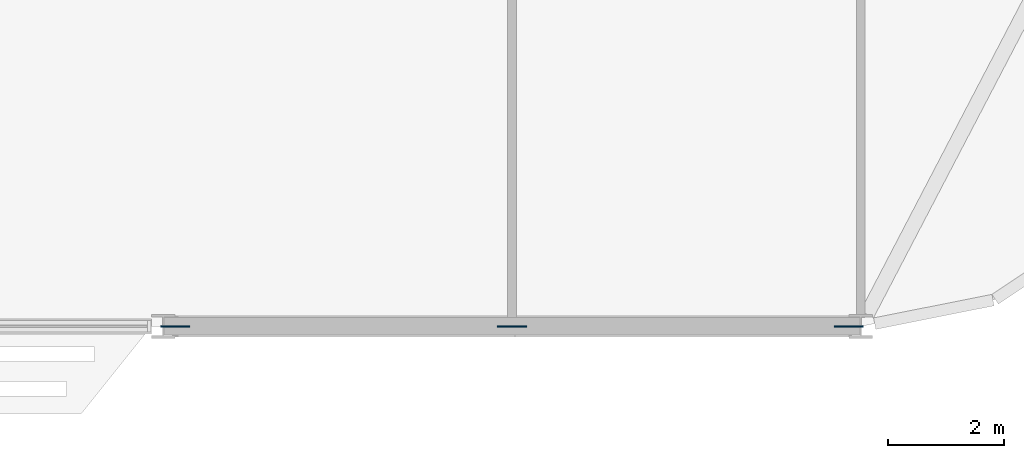
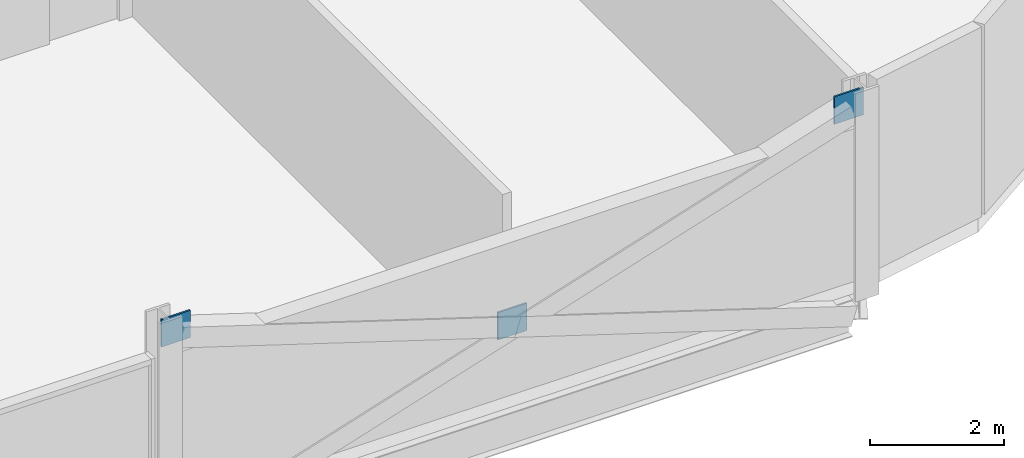
# One storey, part 20 of 27: 3 discrete accessories.
"""IFC4 building model written with IfcOpenShell, lengths in metres."""

import ifcopenshell
import ifcopenshell.guid

model = None  # the IFC model being written
_history = None  # IfcOwnerHistory: only IFC2X3 demands one
_inside = {}  # id of a spatial element -> (the spatial element, [elements in it])
_under = {}  # id of a project, library or spatial element -> (it, [spatial elements below it])
_declared = {}  # id of a project -> (the project, [libraries it declares])
_typed = {}  # id of a type object -> (the type object, [elements of that type])
_made_of = {}  # id of a material, layer set ... -> (it, [elements and type objects made of it])


def new_model(schema):
    """Start an empty IFC model of exactly this schema.

    Asked for "IFC4X3", IfcOpenShell would pick the latest addendum, in which some entities
    have other attributes; the version numbers below select the first issue.
    IFC2X3 requires an IfcOwnerHistory on every rooted entity: one is made here for all.
    """
    global model, _history
    if schema == "IFC4X3":
        model = ifcopenshell.file(schema_version=(4, 3, 0, 0))
    else:
        model = ifcopenshell.file(schema=schema)
    _inside.clear()
    _under.clear()
    _declared.clear()
    _typed.clear()
    _made_of.clear()
    _history = None
    if model.schema == "IFC2X3":
        org = make("IfcOrganization", Name="unknown")
        user = make(
            "IfcPersonAndOrganization",
            ThePerson=make("IfcPerson", FamilyName="unknown"),
            TheOrganization=org,
        )
        app = make(
            "IfcApplication",
            ApplicationDeveloper=org,
            Version="unknown",
            ApplicationFullName="unknown",
            ApplicationIdentifier="unknown",
        )
        _history = make(
            "IfcOwnerHistory",
            OwningUser=user,
            OwningApplication=app,
            ChangeAction="ADDED",
            CreationDate=0,
        )
    return model


def make(cls, **values):
    """One entity of the class cls with the attributes given. An attribute that is None is left unset."""
    return model.create_entity(
        cls, **{name: value for name, value in values.items() if value is not None}
    )


def rooted(cls, **values):
    """An entity with a GlobalId (a new one), such as an element, a storey or a relation."""
    return make(cls, GlobalId=ifcopenshell.guid.new(), OwnerHistory=_history, **values)


def si_unit(unit_type, name, prefix=None):
    """IfcSIUnit, for example si_unit("LENGTHUNIT", "METRE", prefix="MILLI")."""
    return make("IfcSIUnit", UnitType=unit_type, Prefix=prefix, Name=name)


def assignment(units):
    """IfcUnitAssignment: the units of a project."""
    return None if units is None else make("IfcUnitAssignment", Units=units)


def point(xyz):
    """IfcCartesianPoint."""
    return None if xyz is None else make("IfcCartesianPoint", Coordinates=xyz)


def direction(xyz):
    """IfcDirection."""
    return None if xyz is None else make("IfcDirection", DirectionRatios=xyz)


def frame(location, z_axis=None, x_axis=None):
    """IfcAxis2Placement3D, a coordinate frame: its origin and axes. An axis left out is left unset."""
    return make(
        "IfcAxis2Placement3D",
        Location=point(location),
        Axis=direction(z_axis),
        RefDirection=direction(x_axis),
    )


def frame_2d(location, x_axis=None):
    """IfcAxis2Placement2D, a coordinate frame in the plane: its origin and x axis."""
    return make(
        "IfcAxis2Placement2D", Location=point(location), RefDirection=direction(x_axis)
    )


def origin():
    """The frame at (0, 0, 0) with its axes left unset."""
    return frame((0.0, 0.0, 0.0))


def origin_2d():
    """The frame at (0, 0) in the plane with its x axis left unset."""
    return frame_2d((0.0, 0.0))


def place(relative_to, where):
    """IfcLocalPlacement: puts the frame where relative to a parent placement (None: the world)."""
    return make(
        "IfcLocalPlacement", PlacementRelTo=relative_to, RelativePlacement=where
    )


def context(
    kind, dimensions, precision=None, world=None, true_north=None, identifier=None
):
    """IfcGeometricRepresentationContext, for example the 3D "Model" context."""
    return make(
        "IfcGeometricRepresentationContext",
        ContextIdentifier=identifier,
        ContextType=kind,
        CoordinateSpaceDimension=dimensions,
        Precision=precision,
        WorldCoordinateSystem=world,
        TrueNorth=true_north,
    )


def subcontext(parent, identifier, kind, view, scale=None):
    """IfcGeometricRepresentationSubContext, for example "Body" below "Model"."""
    return make(
        "IfcGeometricRepresentationSubContext",
        ContextIdentifier=identifier,
        ContextType=kind,
        ParentContext=parent,
        TargetScale=scale,
        TargetView=view,
    )


def project(units=None, contexts=None):
    """IfcProject with its units and contexts."""
    return rooted(
        "IfcProject",
        Name="project",
        RepresentationContexts=contexts,
        UnitsInContext=assignment(units),
    )


def spatial(cls, under=None, at=None, **own):
    """A site, building, storey or space (cls), placed at a placement, below another one or the project."""
    s = rooted(cls, ObjectPlacement=at, **own)
    if under is not None:
        _under.setdefault(under.id(), (under, []))[1].append(s)
    return s


def profile(cls, at=None, kind="AREA", **sizes):
    """A parametric profile (cls). Its sizes go by their IFC names, for example OverallWidth=200.0."""
    return make(cls, ProfileType=kind, Position=at, **sizes)


def rectangle(**sizes):
    """IfcRectangleProfileDef."""
    return profile("IfcRectangleProfileDef", **sizes)


def extrude(swept, where, along, depth):
    """IfcExtrudedAreaSolid: the profile swept, set in the frame where, extruded along a direction by depth."""
    return make(
        "IfcExtrudedAreaSolid",
        SweptArea=swept,
        Position=where,
        ExtrudedDirection=direction(along),
        Depth=depth,
    )


def shape(context_of_items, identifier, shape_type, items):
    """IfcShapeRepresentation: the items that make up one representation, for example the "Body"."""
    return make(
        "IfcShapeRepresentation",
        ContextOfItems=context_of_items,
        RepresentationIdentifier=identifier,
        RepresentationType=shape_type,
        Items=items,
    )


def material(Name=None, Category=None):
    """IfcMaterial."""
    return make("IfcMaterial", Name=Name, Category=Category)


def layer(
    of_material, thickness, ventilated=None, Name=None, Category=None, Priority=None
):
    """IfcMaterialLayer: one layer of a wall or slab, of a material (None: an air gap)."""
    return make(
        "IfcMaterialLayer",
        Material=of_material,
        LayerThickness=thickness,
        IsVentilated=ventilated,
        Name=Name,
        Category=Category,
        Priority=Priority,
    )


def layer_set(layers, Name=None):
    """IfcMaterialLayerSet."""
    return make("IfcMaterialLayerSet", MaterialLayers=layers, LayerSetName=Name)


def made_of(thing, what):
    """Note that an element or type object is made of a material, layer set ...; save() writes the relation."""
    if what is not None:
        _made_of.setdefault(what.id(), (what, []))[1].append(thing)
    return thing


def type_object(cls, material=None, **own):
    """A type object (cls), such as IfcWallType, which elements share."""
    return made_of(rooted(cls, **own), material)


def element(
    cls,
    number,
    at=None,
    inside=None,
    cuts=None,
    type_object=None,
    material=None,
    context=None,
    identifier="Body",
    shape_type=None,
    held_by="IfcProductDefinitionShape",
    body=None,
    shapes=None,
    **own,
):
    """One element of the class cls, such as IfcWall. Its Tag is "e" and its number.

    at: its placement. inside: the storey or other place that contains it. cuts: it is an
    opening in that element (IfcRelVoidsElement). A single representation is given by context,
    identifier, shape_type and body (its items); several are given by shapes. held_by: the class
    of the entity that holds the representations. save() writes the other relations.
    """
    e = rooted(cls, Tag="e%d" % number, ObjectPlacement=at, **own)
    if body is not None:
        shapes = [shape(context, identifier, shape_type, body)]
    if shapes is not None:
        e.Representation = make(held_by, Representations=shapes)
    if inside is not None:
        _inside.setdefault(inside.id(), (inside, []))[1].append(e)
    if cuts is not None:
        rooted(
            "IfcRelVoidsElement", RelatingBuildingElement=cuts, RelatedOpeningElement=e
        )
    if type_object is not None:
        _typed.setdefault(type_object.id(), (type_object, []))[1].append(e)
    return made_of(e, material)


def aggregate(whole, parts):
    """IfcRelAggregates: a whole, such as a stair, and the parts it consists of."""
    return rooted("IfcRelAggregates", RelatingObject=whole, RelatedObjects=parts)


def save(model, path):
    """Write the relations noted so far, then the file.

    IfcRelAggregates (storeys below a building ...), IfcRelContainedInSpatialStructure (elements
    in a storey), IfcRelDefinesByType, IfcRelAssociatesMaterial and IfcRelDeclares: one each for
    every whole, place, type object, material and project.
    """
    for whole, parts in _under.values():
        aggregate(whole, parts)
    for where, things in _inside.values():
        rooted(
            "IfcRelContainedInSpatialStructure",
            RelatedElements=things,
            RelatingStructure=where,
        )
    for kind, things in _typed.values():
        rooted("IfcRelDefinesByType", RelatedObjects=things, RelatingType=kind)
    for what, things in _made_of.values():
        rooted("IfcRelAssociatesMaterial", RelatedObjects=things, RelatingMaterial=what)
    for by, libraries in _declared.values():
        rooted("IfcRelDeclares", RelatingContext=by, RelatedDefinitions=libraries)
    model.write(path)


model = new_model("IFC4")

# Units and contexts
model_context = context("Model", 3, precision=1e-05, world=origin(), true_north=direction((0.0, 1.0)))
body_context = subcontext(model_context, "Body", "Model", "MODEL_VIEW")
ifc_project = project(units=[si_unit("LENGTHUNIT", "METRE"), si_unit("AREAUNIT", "SQUARE_METRE"), si_unit("VOLUMEUNIT", "CUBIC_METRE"), si_unit("PLANEANGLEUNIT", "RADIAN"), si_unit("MASSUNIT", "GRAM", prefix="KILO")], contexts=[model_context])

# Site, building, storey
site_placement = place(None, origin())
site = spatial("IfcSite", under=ifc_project, at=site_placement, CompositionType="ELEMENT")
building_placement = place(site_placement, origin())
building = spatial("IfcBuilding", under=site, at=building_placement, Name="Mahtab Terrace Research Tower", CompositionType="ELEMENT")
storey_placement = place(building_placement, frame((0.0, 0.0, 170.60009765625)))
storey = spatial("IfcBuildingStorey", under=building, at=storey_placement, Name="L40", CompositionType="ELEMENT", Elevation=170.60009765625)

# Discrete accessories
ifc_material = material(Name="Steel ASTM A992 Gr 50", Category="steel")
ifc_layer = layer(ifc_material, 0.030029296875)
ifc_layer_set = layer_set([ifc_layer], Name="Gusset plate 500x500x30")
discrete_accessory_type = type_object("IfcDiscreteAccessoryType", Name="Gusset plate 500x500x30", PredefinedType="USERDEFINED", material=ifc_layer_set)
for number, where, z_axis, x_axis, name in (
    (1, (30.203125, -23.0, 2.870849609375), (0.0, 0.0, 1.0), (1.0, 0.0, 0.0), "Gusset plate"),
    (2, (36.0, -23.0, 0.970703125), (0.0, 0.0, 1.0), (1.0, 0.0, 0.0), "Gusset plate"),
    (3, (41.796875, -23.0, 2.870849609375), (0.0, 0.0, 1.0), (1.0, 0.0, 0.0), "Gusset plate"),
):
    element("IfcDiscreteAccessory", number, at=place(storey_placement, frame(where, z_axis=z_axis, x_axis=x_axis)), inside=storey, type_object=discrete_accessory_type, Name=name, ObjectType="GUSSET PLATE", PredefinedType="USERDEFINED", context=body_context, shape_type="SweptSolid", body=[
        extrude(rectangle(XDim=0.5, YDim=0.030029296875, at=origin_2d()), origin(), (0.0, 0.0, 1.0), 0.5),
    ])

save(model, "model.ifc")
